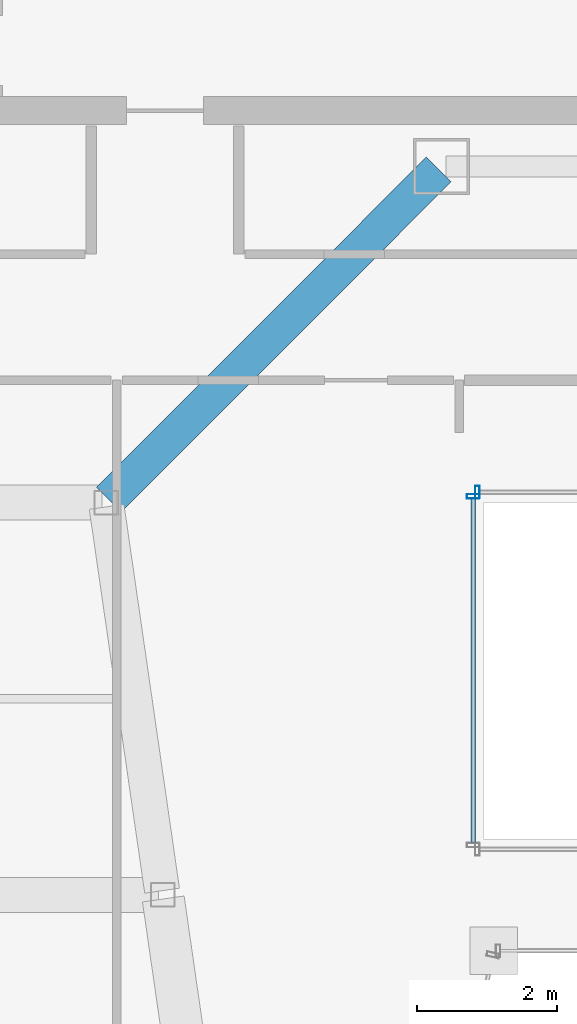
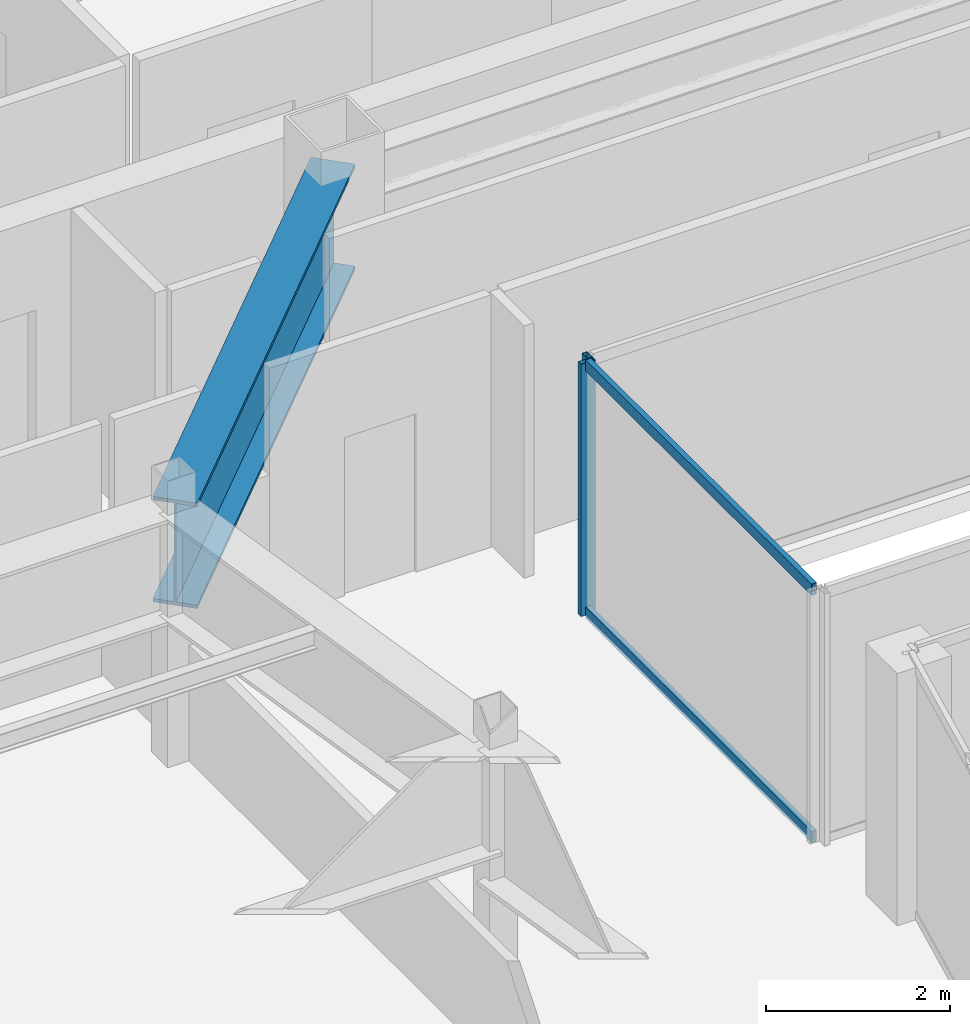
# One storey, part 11 of 35: 4 members, 1 beam, 2 elements without a shape of their own.
"""IFC4 building model written with IfcOpenShell, lengths in metres."""

import ifcopenshell
import ifcopenshell.guid

model = None  # the IFC model being written
_history = None  # IfcOwnerHistory: only IFC2X3 demands one
_inside = {}  # id of a spatial element -> (the spatial element, [elements in it])
_under = {}  # id of a project, library or spatial element -> (it, [spatial elements below it])
_declared = {}  # id of a project -> (the project, [libraries it declares])
_typed = {}  # id of a type object -> (the type object, [elements of that type])
_made_of = {}  # id of a material, layer set ... -> (it, [elements and type objects made of it])


def new_model(schema):
    """Start an empty IFC model of exactly this schema.

    Asked for "IFC4X3", IfcOpenShell would pick the latest addendum, in which some entities
    have other attributes; the version numbers below select the first issue.
    IFC2X3 requires an IfcOwnerHistory on every rooted entity: one is made here for all.
    """
    global model, _history
    if schema == "IFC4X3":
        model = ifcopenshell.file(schema_version=(4, 3, 0, 0))
    else:
        model = ifcopenshell.file(schema=schema)
    _inside.clear()
    _under.clear()
    _declared.clear()
    _typed.clear()
    _made_of.clear()
    _history = None
    if model.schema == "IFC2X3":
        org = make("IfcOrganization", Name="unknown")
        user = make(
            "IfcPersonAndOrganization",
            ThePerson=make("IfcPerson", FamilyName="unknown"),
            TheOrganization=org,
        )
        app = make(
            "IfcApplication",
            ApplicationDeveloper=org,
            Version="unknown",
            ApplicationFullName="unknown",
            ApplicationIdentifier="unknown",
        )
        _history = make(
            "IfcOwnerHistory",
            OwningUser=user,
            OwningApplication=app,
            ChangeAction="ADDED",
            CreationDate=0,
        )
    return model


def make(cls, **values):
    """One entity of the class cls with the attributes given. An attribute that is None is left unset."""
    return model.create_entity(
        cls, **{name: value for name, value in values.items() if value is not None}
    )


def rooted(cls, **values):
    """An entity with a GlobalId (a new one), such as an element, a storey or a relation."""
    return make(cls, GlobalId=ifcopenshell.guid.new(), OwnerHistory=_history, **values)


def si_unit(unit_type, name, prefix=None):
    """IfcSIUnit, for example si_unit("LENGTHUNIT", "METRE", prefix="MILLI")."""
    return make("IfcSIUnit", UnitType=unit_type, Prefix=prefix, Name=name)


def assignment(units):
    """IfcUnitAssignment: the units of a project."""
    return None if units is None else make("IfcUnitAssignment", Units=units)


def point(xyz):
    """IfcCartesianPoint."""
    return None if xyz is None else make("IfcCartesianPoint", Coordinates=xyz)


def direction(xyz):
    """IfcDirection."""
    return None if xyz is None else make("IfcDirection", DirectionRatios=xyz)


def frame(location, z_axis=None, x_axis=None):
    """IfcAxis2Placement3D, a coordinate frame: its origin and axes. An axis left out is left unset."""
    return make(
        "IfcAxis2Placement3D",
        Location=point(location),
        Axis=direction(z_axis),
        RefDirection=direction(x_axis),
    )


def frame_2d(location, x_axis=None):
    """IfcAxis2Placement2D, a coordinate frame in the plane: its origin and x axis."""
    return make(
        "IfcAxis2Placement2D", Location=point(location), RefDirection=direction(x_axis)
    )


def origin():
    """The frame at (0, 0, 0) with its axes left unset."""
    return frame((0.0, 0.0, 0.0))


def origin_2d():
    """The frame at (0, 0) in the plane with its x axis left unset."""
    return frame_2d((0.0, 0.0))


def place(relative_to, where):
    """IfcLocalPlacement: puts the frame where relative to a parent placement (None: the world)."""
    return make(
        "IfcLocalPlacement", PlacementRelTo=relative_to, RelativePlacement=where
    )


def context(
    kind, dimensions, precision=None, world=None, true_north=None, identifier=None
):
    """IfcGeometricRepresentationContext, for example the 3D "Model" context."""
    return make(
        "IfcGeometricRepresentationContext",
        ContextIdentifier=identifier,
        ContextType=kind,
        CoordinateSpaceDimension=dimensions,
        Precision=precision,
        WorldCoordinateSystem=world,
        TrueNorth=true_north,
    )


def subcontext(parent, identifier, kind, view, scale=None):
    """IfcGeometricRepresentationSubContext, for example "Body" below "Model"."""
    return make(
        "IfcGeometricRepresentationSubContext",
        ContextIdentifier=identifier,
        ContextType=kind,
        ParentContext=parent,
        TargetScale=scale,
        TargetView=view,
    )


def project(units=None, contexts=None):
    """IfcProject with its units and contexts."""
    return rooted(
        "IfcProject",
        Name="project",
        RepresentationContexts=contexts,
        UnitsInContext=assignment(units),
    )


def spatial(cls, under=None, at=None, **own):
    """A site, building, storey or space (cls), placed at a placement, below another one or the project."""
    s = rooted(cls, ObjectPlacement=at, **own)
    if under is not None:
        _under.setdefault(under.id(), (under, []))[1].append(s)
    return s


def profile(cls, at=None, kind="AREA", **sizes):
    """A parametric profile (cls). Its sizes go by their IFC names, for example OverallWidth=200.0."""
    return make(cls, ProfileType=kind, Position=at, **sizes)


def hollow_rectangle(**sizes):
    """IfcRectangleHollowProfileDef."""
    return profile("IfcRectangleHollowProfileDef", **sizes)


def i_section(**sizes):
    """IfcIShapeProfileDef."""
    return profile("IfcIShapeProfileDef", **sizes)


def extrude(swept, where, along, depth):
    """IfcExtrudedAreaSolid: the profile swept, set in the frame where, extruded along a direction by depth."""
    return make(
        "IfcExtrudedAreaSolid",
        SweptArea=swept,
        Position=where,
        ExtrudedDirection=direction(along),
        Depth=depth,
    )


def shape(context_of_items, identifier, shape_type, items):
    """IfcShapeRepresentation: the items that make up one representation, for example the "Body"."""
    return make(
        "IfcShapeRepresentation",
        ContextOfItems=context_of_items,
        RepresentationIdentifier=identifier,
        RepresentationType=shape_type,
        Items=items,
    )


def material(Name=None, Category=None):
    """IfcMaterial."""
    return make("IfcMaterial", Name=Name, Category=Category)


def material_profile(
    of_material, cross_section, Name=None, Category=None, Priority=None
):
    """IfcMaterialProfile: a cross section and its material."""
    return make(
        "IfcMaterialProfile",
        Name=Name,
        Material=of_material,
        Profile=cross_section,
        Priority=Priority,
        Category=Category,
    )


def profile_set(profiles, Name=None, composite=None):
    """IfcMaterialProfileSet."""
    return make(
        "IfcMaterialProfileSet",
        Name=Name,
        MaterialProfiles=profiles,
        CompositeProfile=composite,
    )


def made_of(thing, what):
    """Note that an element or type object is made of a material, layer set ...; save() writes the relation."""
    if what is not None:
        _made_of.setdefault(what.id(), (what, []))[1].append(thing)
    return thing


def type_object(cls, material=None, **own):
    """A type object (cls), such as IfcWallType, which elements share."""
    return made_of(rooted(cls, **own), material)


def element(
    cls,
    number,
    at=None,
    inside=None,
    cuts=None,
    type_object=None,
    material=None,
    context=None,
    identifier="Body",
    shape_type=None,
    held_by="IfcProductDefinitionShape",
    body=None,
    shapes=None,
    **own,
):
    """One element of the class cls, such as IfcWall. Its Tag is "e" and its number.

    at: its placement. inside: the storey or other place that contains it. cuts: it is an
    opening in that element (IfcRelVoidsElement). A single representation is given by context,
    identifier, shape_type and body (its items); several are given by shapes. held_by: the class
    of the entity that holds the representations. save() writes the other relations.
    """
    e = rooted(cls, Tag="e%d" % number, ObjectPlacement=at, **own)
    if body is not None:
        shapes = [shape(context, identifier, shape_type, body)]
    if shapes is not None:
        e.Representation = make(held_by, Representations=shapes)
    if inside is not None:
        _inside.setdefault(inside.id(), (inside, []))[1].append(e)
    if cuts is not None:
        rooted(
            "IfcRelVoidsElement", RelatingBuildingElement=cuts, RelatedOpeningElement=e
        )
    if type_object is not None:
        _typed.setdefault(type_object.id(), (type_object, []))[1].append(e)
    return made_of(e, material)


def aggregate(whole, parts):
    """IfcRelAggregates: a whole, such as a stair, and the parts it consists of."""
    return rooted("IfcRelAggregates", RelatingObject=whole, RelatedObjects=parts)


def save(model, path):
    """Write the relations noted so far, then the file.

    IfcRelAggregates (storeys below a building ...), IfcRelContainedInSpatialStructure (elements
    in a storey), IfcRelDefinesByType, IfcRelAssociatesMaterial and IfcRelDeclares: one each for
    every whole, place, type object, material and project.
    """
    for whole, parts in _under.values():
        aggregate(whole, parts)
    for where, things in _inside.values():
        rooted(
            "IfcRelContainedInSpatialStructure",
            RelatedElements=things,
            RelatingStructure=where,
        )
    for kind, things in _typed.values():
        rooted("IfcRelDefinesByType", RelatedObjects=things, RelatingType=kind)
    for what, things in _made_of.values():
        rooted("IfcRelAssociatesMaterial", RelatedObjects=things, RelatingMaterial=what)
    for by, libraries in _declared.values():
        rooted("IfcRelDeclares", RelatingContext=by, RelatedDefinitions=libraries)
    model.write(path)


model = new_model("IFC4")

# Units and contexts
model_context = context("Model", 3, precision=1e-05, world=origin(), true_north=direction((0.0, 1.0)))
body_context = subcontext(model_context, "Body", "Model", "MODEL_VIEW")
ifc_project = project(units=[si_unit("LENGTHUNIT", "METRE"), si_unit("AREAUNIT", "SQUARE_METRE"), si_unit("VOLUMEUNIT", "CUBIC_METRE"), si_unit("PLANEANGLEUNIT", "RADIAN"), si_unit("MASSUNIT", "GRAM", prefix="KILO")], contexts=[model_context])

# Site, building, storey
site_placement = place(None, origin())
site = spatial("IfcSite", under=ifc_project, at=site_placement, CompositionType="ELEMENT")
building_placement = place(site_placement, origin())
building = spatial("IfcBuilding", under=site, at=building_placement, Name="Saevonmaru Cultural Tower", CompositionType="ELEMENT")
storey_placement = place(building_placement, frame((0.0, 0.0, 249.60009765625)))
storey = spatial("IfcBuildingStorey", under=building, at=storey_placement, Name="L58", CompositionType="ELEMENT", Elevation=249.60009765625)

# Beam
ifc_material_1 = material(Name="Steel HSA600 (600 MPa)", Category="steel")
ifc_material_profile_1 = material_profile(ifc_material_1, i_section(OverallWidth=0.5, OverallDepth=1.39990234375, WebThickness=0.02392578125, FlangeThickness=0.044921875, at=origin_2d()), Name="PG-1400x500x24x45")
ifc_profile_set_1 = profile_set([ifc_material_profile_1], Name="Steel HSA600 (600 MPa)")
beam_type = type_object("IfcBeamType", Name="BM-TG-PG1400", PredefinedType="BEAM", material=ifc_profile_set_1)
beam_placement = place(storey_placement, frame((18.850341796875, 37.642578125, 2.64990234375), z_axis=(0.706538566564, 0.707674539572, 0.0), x_axis=(-0.707674539572, 0.706538566564, 0.0)))
element("IfcBeam", 1, at=beam_placement, inside=storey, type_object=beam_type, Name="L58 West Atrium Girder 4", PredefinedType="BEAM", context=body_context, shape_type="SweptSolid", body=[
    extrude(i_section(OverallWidth=0.5, OverallDepth=1.39990234375, WebThickness=0.02392578125, FlangeThickness=0.044921875, at=origin_2d()), origin(), (0.0, 0.0, 1.0), 6.662353515625),
])

# Curtain wall, member
ifc_material_2 = material(Name="Satin Bronze Anodised Aluminium", Category="aluminium")
curtain_wall_type = type_object("IfcCurtainWallType", Name="CW-ATR-GLZ", PredefinedType="NOTDEFINED", material=ifc_material_2)
curtain_wall_1_placement = place(storey_placement, origin())
curtain_wall_1 = element("IfcCurtainWall", 2, at=curtain_wall_1_placement, inside=storey, type_object=curtain_wall_type, Name="L58 Vertical Atrium Glazed Smoke Screen 3", PredefinedType="NOTDEFINED")
ifc_material_profile_2 = material_profile(ifc_material_2, hollow_rectangle(XDim=0.06494140625, YDim=0.179931640625, WallThickness=0.00390625, at=origin_2d()), Name="ALU-MULL-180x65x4")
ifc_profile_set_2 = profile_set([ifc_material_profile_2], Name="Satin Bronze Anodised Aluminium")
member_type_1 = type_object("IfcMemberType", Name="ML-CW-INT-180x65", PredefinedType="MULLION", material=ifc_profile_set_2)
member_1_placement = place(storey_placement, frame((24.110107421875, 37.75, 0.0), z_axis=(0.0, 0.0, 1.0), x_axis=(-1.0, 0.0, 0.0)))
member_1 = element("IfcMember", 3, at=member_1_placement, type_object=member_type_1, Name="CW-ATR-L58-3 mullion 2", PredefinedType="MULLION", context=body_context, shape_type="SweptSolid", body=[
    extrude(hollow_rectangle(XDim=0.06494140625, YDim=0.179931640625, WallThickness=0.00390625, at=origin_2d()), origin(), (0.0, 0.0, 1.0), 3.349853515625),
])
aggregate(curtain_wall_1, [member_1])

# Curtain wall, members
curtain_wall_2_placement = place(storey_placement, origin())
curtain_wall_2 = element("IfcCurtainWall", 4, at=curtain_wall_2_placement, inside=storey, type_object=curtain_wall_type, Name="L58 Vertical Atrium Glazed Smoke Screen 4", PredefinedType="NOTDEFINED")
member_2_placement = place(storey_placement, frame((24.050048828125, 37.68994140625, 0.0), z_axis=(0.0, 0.0, 1.0), x_axis=(0.0, -1.0, 0.0)))
member_2 = element("IfcMember", 5, at=member_2_placement, type_object=member_type_1, Name="CW-ATR-L58-4 mullion 1", PredefinedType="MULLION", context=body_context, shape_type="SweptSolid", body=[
    extrude(hollow_rectangle(XDim=0.06494140625, YDim=0.179931640625, WallThickness=0.00390625, at=origin_2d()), origin(), (0.0, 0.0, 1.0), 3.349853515625),
])
ifc_material_profile_3 = material_profile(ifc_material_2, hollow_rectangle(XDim=0.06494140625, YDim=0.14990234375, WallThickness=0.00390625, at=origin_2d()), Name="ALU-TRAN-150x65x4")
ifc_profile_set_3 = profile_set([ifc_material_profile_3], Name="Satin Bronze Anodised Aluminium")
member_type_2 = type_object("IfcMemberType", Name="TR-CW-INT-150x65", PredefinedType="USERDEFINED", material=ifc_profile_set_3)
member_3_placement = place(storey_placement, frame((24.050048828125, 37.657470703125, 0.032470703125), z_axis=(0.0, -1.0, 0.0), x_axis=(1.0, 0.0, 0.0)))
member_3 = element("IfcMember", 6, at=member_3_placement, type_object=member_type_2, Name="CW-ATR-L58-4 transom 1.1", ObjectType="TRANSOM", PredefinedType="USERDEFINED", context=body_context, shape_type="SweptSolid", body=[
    extrude(hollow_rectangle(XDim=0.06494140625, YDim=0.14990234375, WallThickness=0.00390625, at=origin_2d()), origin(), (0.0, 0.0, 1.0), 4.9150390625),
])
member_4_placement = place(storey_placement, frame((24.050048828125, 37.657470703125, 3.3173828125), z_axis=(0.0, -1.0, 0.0), x_axis=(1.0, 0.0, 0.0)))
member_4 = element("IfcMember", 7, at=member_4_placement, type_object=member_type_2, Name="CW-ATR-L58-4 transom 1.2", ObjectType="TRANSOM", PredefinedType="USERDEFINED", context=body_context, shape_type="SweptSolid", body=[
    extrude(hollow_rectangle(XDim=0.06494140625, YDim=0.14990234375, WallThickness=0.00390625, at=origin_2d()), origin(), (0.0, 0.0, 1.0), 4.9150390625),
])
aggregate(curtain_wall_2, [member_2, member_3, member_4])

save(model, "model.ifc")
